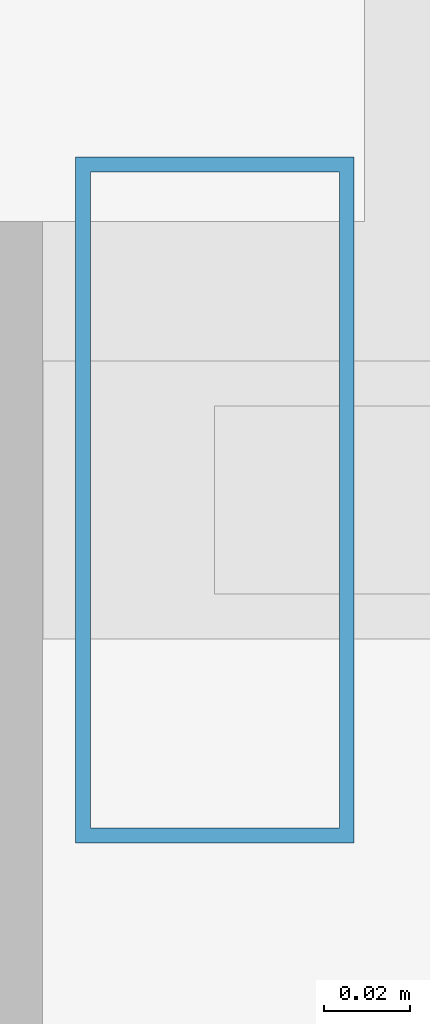
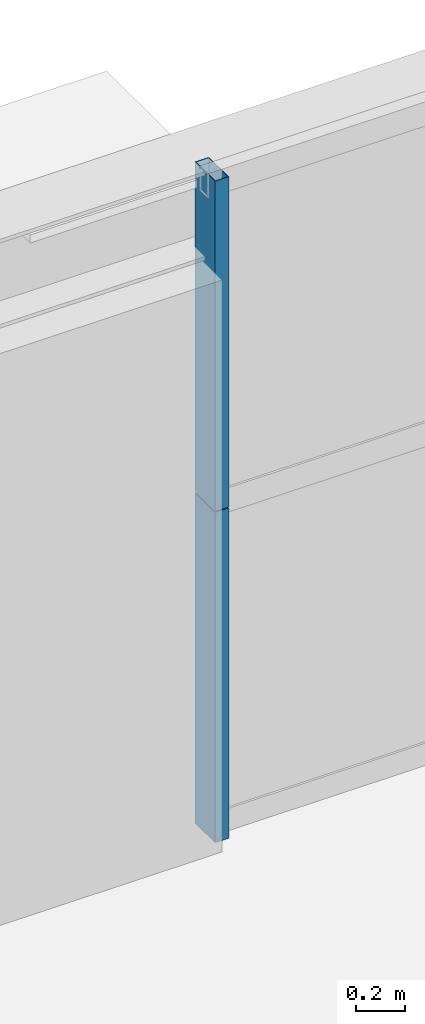
# One storey, part 25 of 38: 2 members, 1 element without a shape of its own.
"""IFC4 building model written with IfcOpenShell, lengths in metres."""

from ifc_helpers import new_model, si_unit, direction, frame, origin, origin_2d, place, context, subcontext, project, spatial, hollow_rectangle, extrude, source, transform, mapped, material, layer, layer_set, material_profile, profile_set, type_object, element, aggregate, save


model = new_model("IFC4")

# Units and contexts
model_context = context("Model", 3, precision=1e-05, world=origin(), true_north=direction((0.0, 1.0)))
body_context = subcontext(model_context, "Body", "Model", "MODEL_VIEW")
ifc_project = project(units=[si_unit("LENGTHUNIT", "METRE"), si_unit("AREAUNIT", "SQUARE_METRE"), si_unit("VOLUMEUNIT", "CUBIC_METRE"), si_unit("PLANEANGLEUNIT", "RADIAN"), si_unit("MASSUNIT", "GRAM", prefix="KILO"), si_unit("THERMODYNAMICTEMPERATUREUNIT", "KELVIN"), si_unit("POWERUNIT", "WATT")], contexts=[model_context])

# Site, building, storey
site_placement = place(None, origin())
site = spatial("IfcSite", under=ifc_project, at=site_placement, CompositionType="ELEMENT")
building_placement = place(site_placement, origin())
building = spatial("IfcBuilding", under=site, at=building_placement, Name="Yuzanri Waterfront Tower", CompositionType="ELEMENT")
storey_placement = place(building_placement, frame((0.0, 0.0, 188.0)))
storey = spatial("IfcBuildingStorey", under=building, at=storey_placement, Name="L49", CompositionType="ELEMENT", Elevation=188.0)

# Curtain wall, members
ifc_material_1 = material(Name="Anodized Architectural Bronze", Category="metal")
ifc_layer = layer(ifc_material_1, 0.159912109375)
ifc_layer_set = layer_set([ifc_layer], Name="Anodized Architectural Bronze")
curtain_wall_type = type_object("IfcCurtainWallType", Name="Anodized Bronze Mid-Rise Residential Acoustic Unitized Curtain Wall 7200", PredefinedType="NOTDEFINED", material=ifc_layer_set)
curtain_wall_placement = place(storey_placement, origin())
curtain_wall = element("IfcCurtainWall", 1, at=curtain_wall_placement, inside=storey, type_object=curtain_wall_type, Name="L49 Curtain Wall CW-L49-NL", PredefinedType="NOTDEFINED")
ifc_material_2 = material(Name="Anodized Architectural Bronze", Category="metal")
ifc_material_profile = material_profile(ifc_material_2, hollow_rectangle(XDim=0.06494140625, YDim=0.159912109375, WallThickness=0.00341796875, at=origin_2d()), Name="CWM 65x160")
ifc_profile_set = profile_set([ifc_material_profile], Name="Anodized Architectural Bronze")
member_type = type_object("IfcMemberType", Name="Anodized Bronze Upper-Zone Curtain-Wall Mullion 65x160", PredefinedType="MULLION", material=ifc_profile_set)
shared_shape = source(origin(), body_context, "Body", "SweptSolid", [
    extrude(hollow_rectangle(XDim=0.06494140625, YDim=0.159912109375, WallThickness=0.00341796875, at=origin_2d()), origin(), (0.0, 0.0, 1.0), 1.637939453125),
])
member_1_placement = place(storey_placement, frame((22.2900390625, 47.75, 0.0), z_axis=(0.0, 0.0, 1.0), x_axis=(1.0, 0.0, 0.0)))
member_1 = element("IfcMember", 2, at=member_1_placement, type_object=member_type, Name="CW-L49-NL Lower Mullion 00", PredefinedType="MULLION", context=body_context, shape_type="MappedRepresentation", body=[
    mapped(shared_shape, transform((0.0, 0.0, 0.0), scale=1.0)),
])
member_2_placement = place(storey_placement, frame((22.2900390625, 47.75, 1.64208984375), z_axis=(0.0, 0.0, 1.0), x_axis=(1.0, 0.0, 0.0)))
member_2 = element("IfcMember", 3, at=member_2_placement, type_object=member_type, Name="CW-L49-NL Upper Mullion 00", PredefinedType="MULLION", context=body_context, shape_type="MappedRepresentation", body=[
    mapped(shared_shape, transform((0.0, 0.0, 0.0), scale=1.0)),
])
aggregate(curtain_wall, [member_1, member_2])

save(model, "model.ifc")
